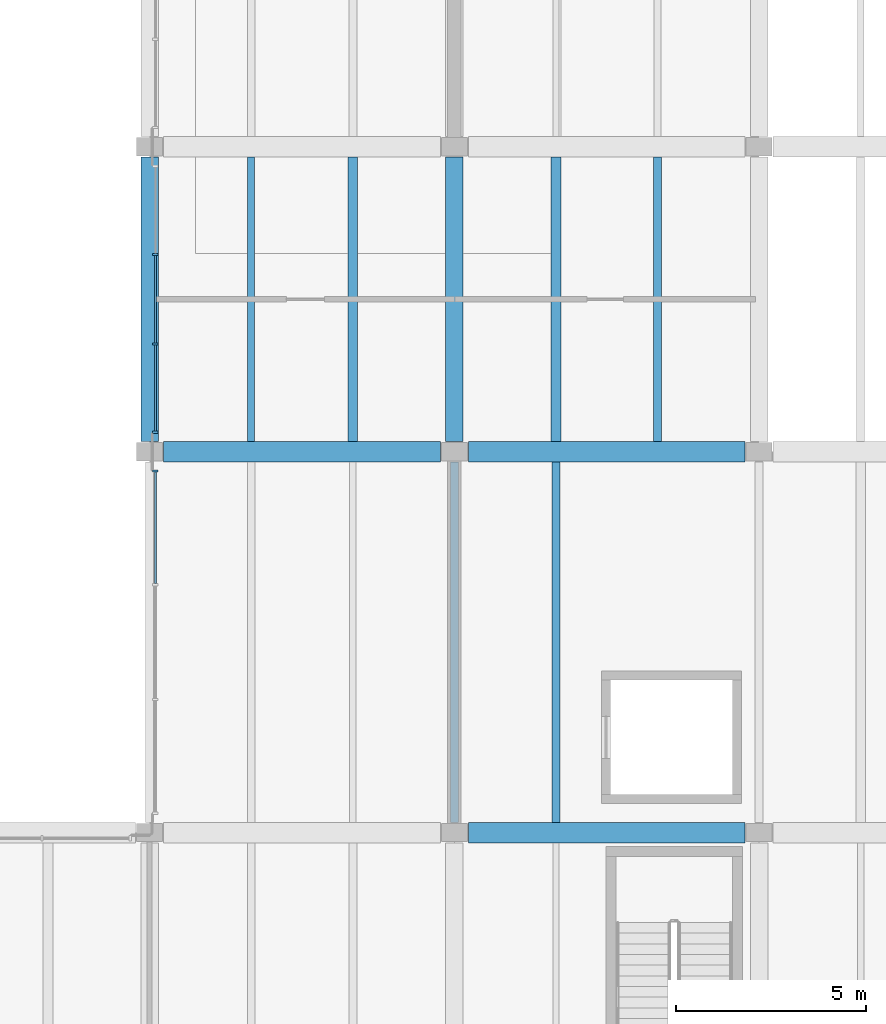
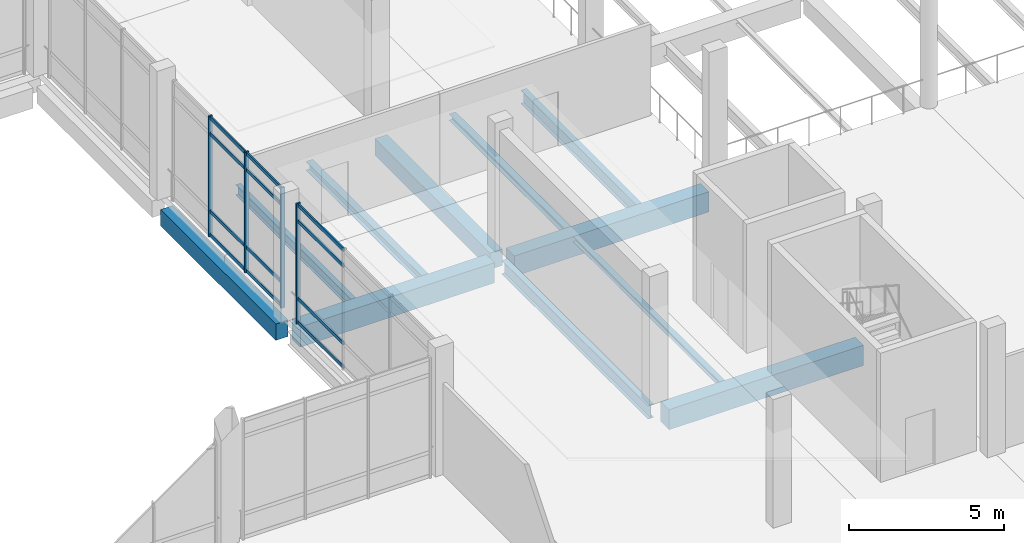
# One storey, part 9 of 61: 16 members, 11 beams, 2 elements without a shape of their own.
"""IFC4 building model written with IfcOpenShell, lengths in metres."""

from ifc_helpers import new_model, si_unit, direction, frame, origin, origin_2d, place, context, subcontext, project, spatial, rectangle, i_section, extrude, material, material_profile, profile_set, type_object, element, aggregate, save


model = new_model("IFC4")

# Units and contexts
model_context = context("Model", 3, precision=1e-05, world=origin(), true_north=direction((0.0, 1.0)))
body_context = subcontext(model_context, "Body", "Model", "MODEL_VIEW")
ifc_project = project(units=[si_unit("LENGTHUNIT", "METRE"), si_unit("AREAUNIT", "SQUARE_METRE"), si_unit("VOLUMEUNIT", "CUBIC_METRE"), si_unit("PLANEANGLEUNIT", "RADIAN"), si_unit("MASSUNIT", "GRAM", prefix="KILO")], contexts=[model_context])

# Site, building, storey
site_placement = place(None, origin())
site = spatial("IfcSite", under=ifc_project, at=site_placement, CompositionType="ELEMENT")
building_placement = place(site_placement, origin())
building = spatial("IfcBuilding", under=site, at=building_placement, Name="Pecanmere Concourse Central Library", CompositionType="ELEMENT")
storey_placement = place(building_placement, frame((0.0, 0.0, 5.39990234375)))
storey = spatial("IfcBuildingStorey", under=building, at=storey_placement, Name="L02", CompositionType="ELEMENT", Elevation=5.39990234375)

# Curtain wall, member
ifc_material_1 = material(Name="Clear anodized aluminium alloy 6063-T6", Category="aluminium")
curtain_wall_type = type_object("IfcCurtainWallType", Name="CW_CLOISTER_GLAZ", PredefinedType="USERDEFINED", material=ifc_material_1)
curtain_wall_1_placement = place(storey_placement, origin())
curtain_wall_1 = element("IfcCurtainWall", 1, at=curtain_wall_1_placement, inside=storey, type_object=curtain_wall_type, Name="Unitised Curtain Wall CW-04 L02-116", ObjectType="UNITISED CURTAIN WALL", PredefinedType="USERDEFINED")
ifc_material_2 = material(Name="Clear anodized aluminium alloy 6063-T6", Category="aluminium")
ifc_material_profile_1 = material_profile(ifc_material_2, rectangle(XDim=0.06005859375, YDim=0.14990234375, at=origin_2d()), Name="AL 60x150")
ifc_profile_set_1 = profile_set([ifc_material_profile_1], Name="Clear anodized aluminium alloy 6063-T6")
member_type_1 = type_object("IfcMemberType", Name="CWM_150x60", PredefinedType="MULLION", material=ifc_profile_set_1)
member_1_placement = place(storey_placement, frame((48.14990234375, 73.489990234375, 0.0), z_axis=(0.0, 0.0, 1.0), x_axis=(0.0, -1.0, 0.0)))
member_1 = element("IfcMember", 2, at=member_1_placement, type_object=member_type_1, Name="CW-04 Mullion 1", PredefinedType="MULLION", context=body_context, shape_type="SweptSolid", body=[
    extrude(rectangle(XDim=0.06005859375, YDim=0.14990234375, at=origin_2d()), origin(), (0.0, 0.0, 1.0), 4.760009765625),
])

# Curtain wall, members
curtain_wall_2_placement = place(storey_placement, origin())
curtain_wall_2 = element("IfcCurtainWall", 3, at=curtain_wall_2_placement, inside=storey, type_object=curtain_wall_type, Name="Unitised Curtain Wall CW-04 L02-118", ObjectType="UNITISED CURTAIN WALL", PredefinedType="USERDEFINED")
member_2_placement = place(storey_placement, frame((48.14990234375, 79.17333984375, 0.0), z_axis=(0.0, 0.0, 1.0), x_axis=(0.0, -1.0, 0.0)))
member_2 = element("IfcMember", 4, at=member_2_placement, type_object=member_type_1, Name="CW-04 Mullion 2", PredefinedType="MULLION", context=body_context, shape_type="SweptSolid", body=[
    extrude(rectangle(XDim=0.06005859375, YDim=0.14990234375, at=origin_2d()), origin(), (0.0, 0.0, 1.0), 4.760009765625),
])
member_3_placement = place(storey_placement, frame((48.14990234375, 76.82666015625, 0.0), z_axis=(0.0, 0.0, 1.0), x_axis=(0.0, -1.0, 0.0)))
member_3 = element("IfcMember", 5, at=member_3_placement, type_object=member_type_1, Name="CW-04 Mullion 3", PredefinedType="MULLION", context=body_context, shape_type="SweptSolid", body=[
    extrude(rectangle(XDim=0.06005859375, YDim=0.14990234375, at=origin_2d()), origin(), (0.0, 0.0, 1.0), 4.760009765625),
])
member_4_placement = place(storey_placement, frame((48.14990234375, 74.510009765625, 0.0), z_axis=(0.0, 0.0, 1.0), x_axis=(0.0, -1.0, 0.0)))
member_4 = element("IfcMember", 6, at=member_4_placement, type_object=member_type_1, Name="CW-04 Mullion 4", PredefinedType="MULLION", context=body_context, shape_type="SweptSolid", body=[
    extrude(rectangle(XDim=0.06005859375, YDim=0.14990234375, at=origin_2d()), origin(), (0.0, 0.0, 1.0), 4.760009765625),
])

# Member
ifc_material_3 = material(Name="Clear anodized aluminium alloy 6063-T6", Category="aluminium")
ifc_material_profile_2 = material_profile(ifc_material_3, rectangle(XDim=0.054931640625, YDim=0.139892578125, at=origin_2d()), Name="AL 55x140")
ifc_profile_set_2 = profile_set([ifc_material_profile_2], Name="Clear anodized aluminium alloy 6063-T6")
member_type_2 = type_object("IfcMemberType", Name="CWT_140x55", PredefinedType="USERDEFINED", material=ifc_profile_set_2)
member_5_placement = place(storey_placement, frame((48.14990234375, 73.4599609375, 0.070068359375), z_axis=(0.0, -1.0, 0.0), x_axis=(1.0, 0.0, 0.0)))
member_5 = element("IfcMember", 7, at=member_5_placement, type_object=member_type_2, Name="CW-04 Transom 1.1", ObjectType="TRANSOM", PredefinedType="USERDEFINED", context=body_context, shape_type="SweptSolid", body=[
    extrude(rectangle(XDim=0.054931640625, YDim=0.139892578125, at=origin_2d()), origin(), (0.0, 0.0, 1.0), 2.92333984375),
])

member_6_placement = place(storey_placement, frame((48.14990234375, 73.4599609375, 1.0), z_axis=(0.0, -1.0, 0.0), x_axis=(1.0, 0.0, 0.0)))
member_6 = element("IfcMember", 8, at=member_6_placement, type_object=member_type_2, Name="CW-04 Transom 1.2", ObjectType="TRANSOM", PredefinedType="USERDEFINED", context=body_context, shape_type="SweptSolid", body=[
    extrude(rectangle(XDim=0.054931640625, YDim=0.139892578125, at=origin_2d()), origin(), (0.0, 0.0, 1.0), 2.92333984375),
])

member_7_placement = place(storey_placement, frame((48.14990234375, 73.4599609375, 4.06005859375), z_axis=(0.0, -1.0, 0.0), x_axis=(1.0, 0.0, 0.0)))
member_7 = element("IfcMember", 9, at=member_7_placement, type_object=member_type_2, Name="CW-04 Transom 1.3", ObjectType="TRANSOM", PredefinedType="USERDEFINED", context=body_context, shape_type="SweptSolid", body=[
    extrude(rectangle(XDim=0.054931640625, YDim=0.139892578125, at=origin_2d()), origin(), (0.0, 0.0, 1.0), 2.92333984375),
])

member_8_placement = place(storey_placement, frame((48.14990234375, 73.4599609375, 4.690185546875), z_axis=(0.0, -1.0, 0.0), x_axis=(1.0, 0.0, 0.0)))
member_8 = element("IfcMember", 10, at=member_8_placement, type_object=member_type_2, Name="CW-04 Transom 1.4", ObjectType="TRANSOM", PredefinedType="USERDEFINED", context=body_context, shape_type="SweptSolid", body=[
    extrude(rectangle(XDim=0.054931640625, YDim=0.139892578125, at=origin_2d()), origin(), (0.0, 0.0, 1.0), 2.92333984375),
])

aggregate(curtain_wall_1, [member_1, member_5, member_6, member_7, member_8])

member_9_placement = place(storey_placement, frame((48.14990234375, 79.143310546875, 0.070068359375), z_axis=(0.0, -1.0, 0.0), x_axis=(1.0, 0.0, 0.0)))
member_9 = element("IfcMember", 11, at=member_9_placement, type_object=member_type_2, Name="CW-04 Transom 2.1", ObjectType="TRANSOM", PredefinedType="USERDEFINED", context=body_context, shape_type="SweptSolid", body=[
    extrude(rectangle(XDim=0.054931640625, YDim=0.139892578125, at=origin_2d()), origin(), (0.0, 0.0, 1.0), 2.28662109375),
])

member_10_placement = place(storey_placement, frame((48.14990234375, 79.143310546875, 1.0), z_axis=(0.0, -1.0, 0.0), x_axis=(1.0, 0.0, 0.0)))
member_10 = element("IfcMember", 12, at=member_10_placement, type_object=member_type_2, Name="CW-04 Transom 2.2", ObjectType="TRANSOM", PredefinedType="USERDEFINED", context=body_context, shape_type="SweptSolid", body=[
    extrude(rectangle(XDim=0.054931640625, YDim=0.139892578125, at=origin_2d()), origin(), (0.0, 0.0, 1.0), 2.28662109375),
])

member_11_placement = place(storey_placement, frame((48.14990234375, 79.143310546875, 4.06005859375), z_axis=(0.0, -1.0, 0.0), x_axis=(1.0, 0.0, 0.0)))
member_11 = element("IfcMember", 13, at=member_11_placement, type_object=member_type_2, Name="CW-04 Transom 2.3", ObjectType="TRANSOM", PredefinedType="USERDEFINED", context=body_context, shape_type="SweptSolid", body=[
    extrude(rectangle(XDim=0.054931640625, YDim=0.139892578125, at=origin_2d()), origin(), (0.0, 0.0, 1.0), 2.28662109375),
])

member_12_placement = place(storey_placement, frame((48.14990234375, 79.143310546875, 4.690185546875), z_axis=(0.0, -1.0, 0.0), x_axis=(1.0, 0.0, 0.0)))
member_12 = element("IfcMember", 14, at=member_12_placement, type_object=member_type_2, Name="CW-04 Transom 2.4", ObjectType="TRANSOM", PredefinedType="USERDEFINED", context=body_context, shape_type="SweptSolid", body=[
    extrude(rectangle(XDim=0.054931640625, YDim=0.139892578125, at=origin_2d()), origin(), (0.0, 0.0, 1.0), 2.28662109375),
])

member_13_placement = place(storey_placement, frame((48.14990234375, 76.796630859375, 0.070068359375), z_axis=(0.0, -1.0, 0.0), x_axis=(1.0, 0.0, 0.0)))
member_13 = element("IfcMember", 15, at=member_13_placement, type_object=member_type_2, Name="CW-04 Transom 3.1", ObjectType="TRANSOM", PredefinedType="USERDEFINED", context=body_context, shape_type="SweptSolid", body=[
    extrude(rectangle(XDim=0.054931640625, YDim=0.139892578125, at=origin_2d()), origin(), (0.0, 0.0, 1.0), 2.256591796875),
])

member_14_placement = place(storey_placement, frame((48.14990234375, 76.796630859375, 1.0), z_axis=(0.0, -1.0, 0.0), x_axis=(1.0, 0.0, 0.0)))
member_14 = element("IfcMember", 16, at=member_14_placement, type_object=member_type_2, Name="CW-04 Transom 3.2", ObjectType="TRANSOM", PredefinedType="USERDEFINED", context=body_context, shape_type="SweptSolid", body=[
    extrude(rectangle(XDim=0.054931640625, YDim=0.139892578125, at=origin_2d()), origin(), (0.0, 0.0, 1.0), 2.256591796875),
])

member_15_placement = place(storey_placement, frame((48.14990234375, 76.796630859375, 4.06005859375), z_axis=(0.0, -1.0, 0.0), x_axis=(1.0, 0.0, 0.0)))
member_15 = element("IfcMember", 17, at=member_15_placement, type_object=member_type_2, Name="CW-04 Transom 3.3", ObjectType="TRANSOM", PredefinedType="USERDEFINED", context=body_context, shape_type="SweptSolid", body=[
    extrude(rectangle(XDim=0.054931640625, YDim=0.139892578125, at=origin_2d()), origin(), (0.0, 0.0, 1.0), 2.256591796875),
])

member_16_placement = place(storey_placement, frame((48.14990234375, 76.796630859375, 4.690185546875), z_axis=(0.0, -1.0, 0.0), x_axis=(1.0, 0.0, 0.0)))
member_16 = element("IfcMember", 18, at=member_16_placement, type_object=member_type_2, Name="CW-04 Transom 3.4", ObjectType="TRANSOM", PredefinedType="USERDEFINED", context=body_context, shape_type="SweptSolid", body=[
    extrude(rectangle(XDim=0.054931640625, YDim=0.139892578125, at=origin_2d()), origin(), (0.0, 0.0, 1.0), 2.256591796875),
])

aggregate(curtain_wall_2, [member_2, member_3, member_4, member_9, member_10, member_11, member_12, member_13, member_14, member_15, member_16])

# Beams
ifc_material_4 = material(Name="Concrete C40/50", Category="concrete")
ifc_material_profile_3 = material_profile(ifc_material_4, rectangle(XDim=0.4599609375, YDim=0.64990234375, at=origin_2d()), Name="RC 460x650")
ifc_profile_set_3 = profile_set([ifc_material_profile_3], Name="Concrete C40/50")
beam_type_1 = type_object("IfcBeamType", Name="GRD_460x650", PredefinedType="USERDEFINED", material=ifc_profile_set_3)
for number, where, z_axis, x_axis, name in (
    (19, (48.0, 74.27001953125, -0.69482421875), (0.0, 1.0, 0.0), (-1.0, 0.0, 0.0), "Primary Girder Y L02-1007"),
    (20, (56.0, 74.27001953125, -0.69482421875), (0.0, 1.0, 0.0), (-1.0, 0.0, 0.0), "Primary Girder Y L02-1017"),
):
    element("IfcBeam", number, at=place(storey_placement, frame(where, z_axis=z_axis, x_axis=x_axis)), inside=storey, type_object=beam_type_1, Name=name, ObjectType="GIRDER", PredefinedType="USERDEFINED", context=body_context, shape_type="SweptSolid", body=[
        extrude(rectangle(XDim=0.4599609375, YDim=0.64990234375, at=origin_2d()), origin(), (0.0, 0.0, 1.0), 7.4599609375),
    ])
ifc_material_5 = material(Name="Concrete C40/50", Category="concrete")
ifc_material_profile_4 = material_profile(ifc_material_5, rectangle(XDim=0.5400390625, YDim=0.800048828125, at=origin_2d()), Name="RC 540x800")
ifc_profile_set_4 = profile_set([ifc_material_profile_4], Name="Concrete C40/50")
beam_type_2 = type_object("IfcBeamType", Name="GRD_540x800", PredefinedType="USERDEFINED", material=ifc_profile_set_4)
for number, where, z_axis, x_axis, name in (
    (21, (56.3701171875, 64.0, -0.77001953125), (1.0, 0.0, 0.0), (0.0, 1.0, 0.0), "Primary Girder X L02-0873"),
    (22, (48.3701171875, 74.0, -0.77001953125), (1.0, 0.0, 0.0), (0.0, 1.0, 0.0), "Primary Girder X L02-0886"),
    (23, (56.3701171875, 74.0, -0.77001953125), (1.0, 0.0, 0.0), (0.0, 1.0, 0.0), "Primary Girder X L02-0887"),
):
    element("IfcBeam", number, at=place(storey_placement, frame(where, z_axis=z_axis, x_axis=x_axis)), inside=storey, type_object=beam_type_2, Name=name, ObjectType="GIRDER", PredefinedType="USERDEFINED", context=body_context, shape_type="SweptSolid", body=[
        extrude(rectangle(XDim=0.5400390625, YDim=0.800048828125, at=origin_2d()), origin(), (0.0, 0.0, 1.0), 7.259765625),
    ])
ifc_material_6 = material(Name="Structural steel ASTM A992 Grade 50", Category="steel")
ifc_material_profile_5 = material_profile(ifc_material_6, i_section(OverallWidth=0.2041015625, OverallDepth=0.2060546875, WebThickness=0.0078125, FlangeThickness=0.0126953125, at=origin_2d()), Name="W200x52")
ifc_profile_set_5 = profile_set([ifc_material_profile_5], Name="Structural steel ASTM A992 Grade 50")
beam_type_3 = type_object("IfcBeamType", Name="SBM_W200x52", PredefinedType="JOIST", material=ifc_profile_set_5)
beam_1_placement = place(storey_placement, frame((58.666748046875, 64.27001953125, -0.472900390625), z_axis=(0.0, 1.0, 0.0), x_axis=(-1.0, 0.0, 0.0)))
element("IfcBeam", 24, at=beam_1_placement, inside=storey, type_object=beam_type_3, Name="Secondary Floor Joist L02-1252", PredefinedType="JOIST", context=body_context, shape_type="SweptSolid", body=[
    extrude(i_section(OverallWidth=0.2041015625, OverallDepth=0.2060546875, WebThickness=0.0078125, FlangeThickness=0.0126953125, at=origin_2d()), origin(), (0.0, 0.0, 1.0), 9.4599609375),
])
ifc_material_7 = material(Name="Structural steel ASTM A992 Grade 50", Category="steel")
ifc_material_profile_6 = material_profile(ifc_material_7, i_section(OverallWidth=0.25390625, OverallDepth=0.2529296875, WebThickness=0.008544921875, FlangeThickness=0.01416015625, at=origin_2d()), Name="W250x73")
ifc_profile_set_6 = profile_set([ifc_material_profile_6], Name="Structural steel ASTM A992 Grade 50")
beam_type_4 = type_object("IfcBeamType", Name="SBM_W250x73", PredefinedType="BEAM", material=ifc_profile_set_6)
beam_2_placement = place(storey_placement, frame((58.666748046875, 74.27001953125, -0.496337890625), z_axis=(0.0, 1.0, 0.0), x_axis=(-1.0, 0.0, 0.0)))
element("IfcBeam", 25, at=beam_2_placement, inside=storey, type_object=beam_type_4, Name="Secondary Floor Joist L02-1253", PredefinedType="BEAM", context=body_context, shape_type="SweptSolid", body=[
    extrude(i_section(OverallWidth=0.25390625, OverallDepth=0.2529296875, WebThickness=0.008544921875, FlangeThickness=0.01416015625, at=origin_2d()), origin(), (0.0, 0.0, 1.0), 7.4599609375),
])
ifc_material_8 = material(Name="Structural steel ASTM A992 Grade 50", Category="steel")
ifc_material_profile_7 = material_profile(ifc_material_8, i_section(OverallWidth=0.25390625, OverallDepth=0.35302734375, WebThickness=0.009521484375, FlangeThickness=0.016357421875, at=origin_2d()), Name="W360x91")
ifc_profile_set_7 = profile_set([ifc_material_profile_7], Name="Structural steel ASTM A992 Grade 50")
beam_type_5 = type_object("IfcBeamType", Name="SBM_W360x91", PredefinedType="BEAM", material=ifc_profile_set_7)
beam_3_placement = place(storey_placement, frame((53.333251953125, 74.27001953125, -0.54638671875), z_axis=(0.0, 1.0, 0.0), x_axis=(-1.0, 0.0, 0.0)))
element("IfcBeam", 26, at=beam_3_placement, inside=storey, type_object=beam_type_5, Name="Secondary Floor Joist L02-1236", PredefinedType="BEAM", context=body_context, shape_type="SweptSolid", body=[
    extrude(i_section(OverallWidth=0.25390625, OverallDepth=0.35302734375, WebThickness=0.009521484375, FlangeThickness=0.016357421875, at=origin_2d()), origin(), (0.0, 0.0, 1.0), 7.4599609375),
])
ifc_material_9 = material(Name="Structural steel ASTM A992 Grade 50", Category="steel")
ifc_material_profile_8 = material_profile(ifc_material_9, i_section(OverallWidth=0.180908203125, OverallDepth=0.4169921875, WebThickness=0.010986328125, FlangeThickness=0.018310546875, at=origin_2d()), Name="W410x85")
ifc_profile_set_8 = profile_set([ifc_material_profile_8], Name="Structural steel ASTM A992 Grade 50")
beam_type_6 = type_object("IfcBeamType", Name="SBM_W410x85", PredefinedType="BEAM", material=ifc_profile_set_8)
beam_4_placement = place(storey_placement, frame((50.666748046875, 74.27001953125, -0.578369140625), z_axis=(0.0, 1.0, 0.0), x_axis=(-1.0, 0.0, 0.0)))
element("IfcBeam", 27, at=beam_4_placement, inside=storey, type_object=beam_type_6, Name="Secondary Floor Joist L02-1235", PredefinedType="BEAM", context=body_context, shape_type="SweptSolid", body=[
    extrude(i_section(OverallWidth=0.180908203125, OverallDepth=0.4169921875, WebThickness=0.010986328125, FlangeThickness=0.018310546875, at=origin_2d()), origin(), (0.0, 0.0, 1.0), 7.4599609375),
])
ifc_material_10 = material(Name="Structural steel ASTM A992 Grade 50", Category="steel")
ifc_material_profile_9 = material_profile(ifc_material_10, i_section(OverallWidth=0.2109375, OverallDepth=0.5390625, WebThickness=0.01171875, FlangeThickness=0.018798828125, at=origin_2d()), Name="W530x109")
ifc_profile_set_9 = profile_set([ifc_material_profile_9], Name="Structural steel ASTM A992 Grade 50")
beam_type_7 = type_object("IfcBeamType", Name="SBM_W530x109", PredefinedType="USERDEFINED", material=ifc_profile_set_9)
beam_5_placement = place(storey_placement, frame((56.0, 64.27001953125, -0.639404296875), z_axis=(0.0, 1.0, 0.0), x_axis=(-1.0, 0.0, 0.0)))
element("IfcBeam", 28, at=beam_5_placement, inside=storey, type_object=beam_type_7, Name="Primary Girder Y L02-1016", ObjectType="GIRDER", PredefinedType="USERDEFINED", context=body_context, shape_type="SweptSolid", body=[
    extrude(i_section(OverallWidth=0.2109375, OverallDepth=0.5390625, WebThickness=0.01171875, FlangeThickness=0.018798828125, at=origin_2d()), origin(), (0.0, 0.0, 1.0), 9.4599609375),
])
ifc_material_11 = material(Name="Structural steel ASTM A992 Grade 50", Category="steel")
ifc_material_profile_10 = material_profile(ifc_material_11, i_section(OverallWidth=0.208984375, OverallDepth=0.532958984375, WebThickness=0.01025390625, FlangeThickness=0.015625, at=origin_2d()), Name="W530x92")
ifc_profile_set_10 = profile_set([ifc_material_profile_10], Name="Structural steel ASTM A992 Grade 50")
beam_type_8 = type_object("IfcBeamType", Name="SBM_W530x92", PredefinedType="BEAM", material=ifc_profile_set_10)
beam_6_placement = place(storey_placement, frame((61.333251953125, 74.27001953125, -0.636474609375), z_axis=(0.0, 1.0, 0.0), x_axis=(-1.0, 0.0, 0.0)))
element("IfcBeam", 29, at=beam_6_placement, inside=storey, type_object=beam_type_8, Name="Secondary Floor Joist L02-1254", PredefinedType="BEAM", context=body_context, shape_type="SweptSolid", body=[
    extrude(i_section(OverallWidth=0.208984375, OverallDepth=0.532958984375, WebThickness=0.01025390625, FlangeThickness=0.015625, at=origin_2d()), origin(), (0.0, 0.0, 1.0), 7.4599609375),
])

save(model, "model.ifc")
